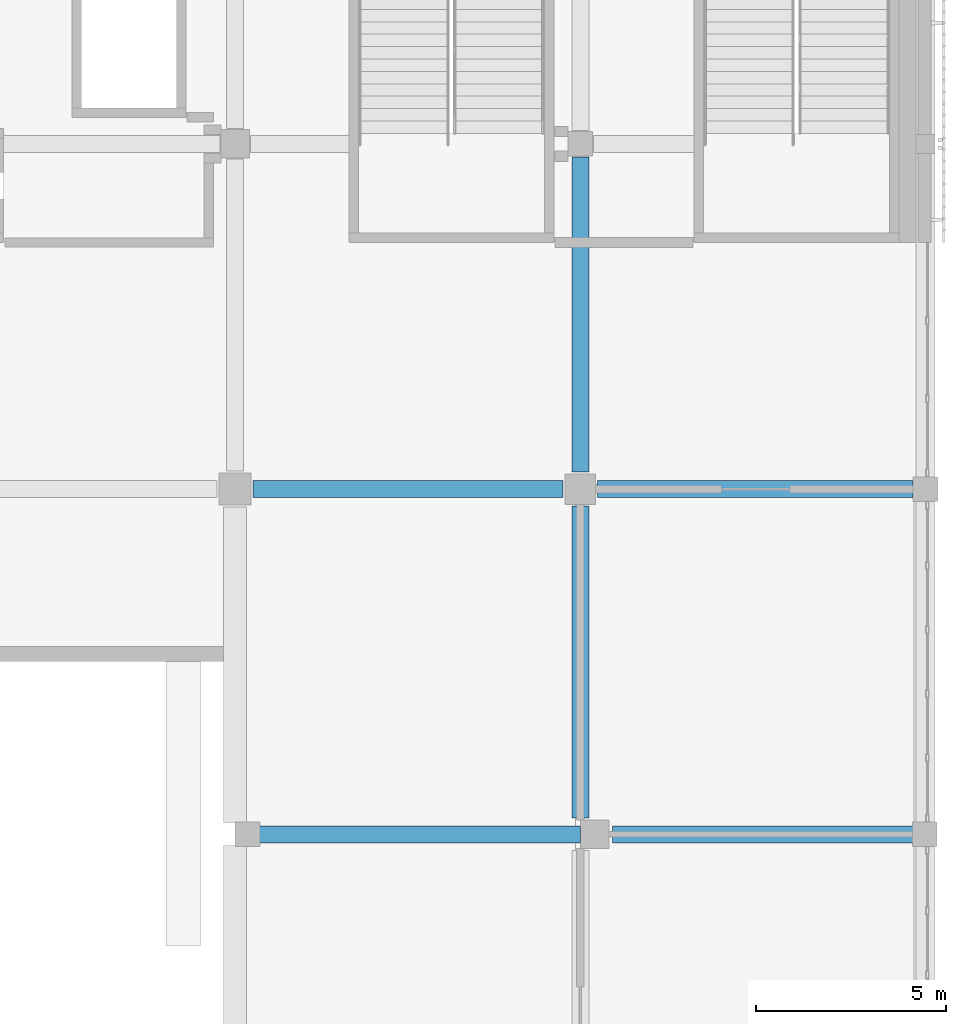
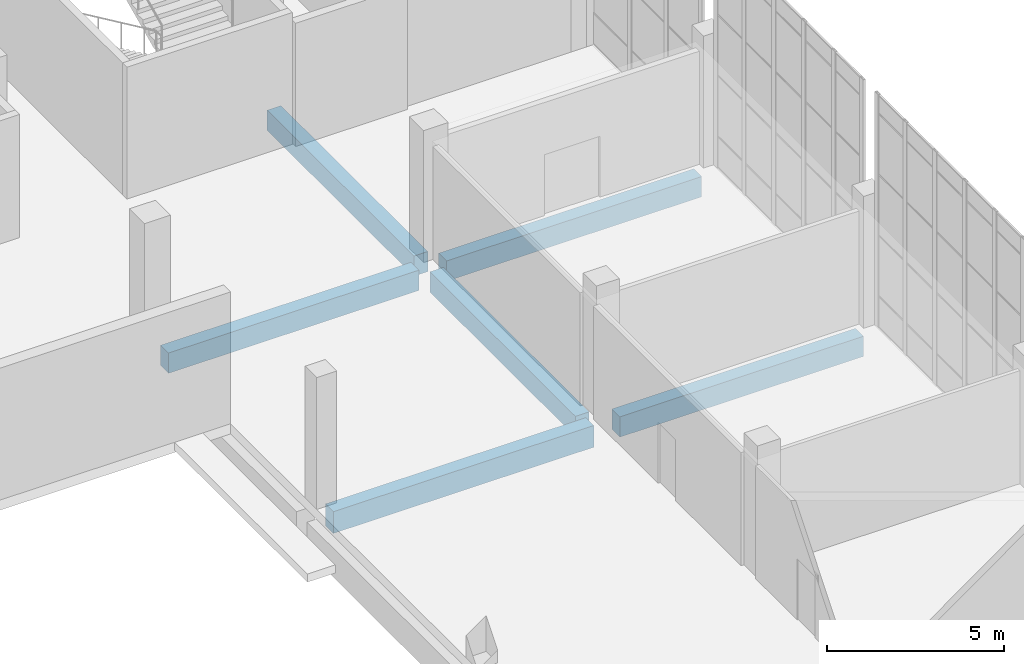
# One storey, part 55 of 126: 6 beams.
"""IFC4 building model written with IfcOpenShell, lengths in metres."""

from ifc_helpers import new_model, si_unit, direction, frame, origin, origin_2d, place, context, subcontext, project, spatial, rectangle, extrude, material, material_profile, profile_set, type_object, element, save


model = new_model("IFC4")

# Units and contexts
model_context = context("Model", 3, precision=1e-05, world=origin(), true_north=direction((0.0, 1.0)))
body_context = subcontext(model_context, "Body", "Model", "MODEL_VIEW")
ifc_project = project(units=[si_unit("LENGTHUNIT", "METRE"), si_unit("AREAUNIT", "SQUARE_METRE"), si_unit("VOLUMEUNIT", "CUBIC_METRE"), si_unit("PLANEANGLEUNIT", "RADIAN"), si_unit("MASSUNIT", "GRAM", prefix="KILO")], contexts=[model_context])

# Site, building, storey
site_placement = place(None, origin())
site = spatial("IfcSite", under=ifc_project, at=site_placement, CompositionType="ELEMENT")
building_placement = place(site_placement, origin())
building = spatial("IfcBuilding", under=site, at=building_placement, Name="Shirokan Park Arena", CompositionType="ELEMENT")
storey_placement = place(building_placement, frame((0.0, 0.0, 6.3701171875)))
storey = spatial("IfcBuildingStorey", under=building, at=storey_placement, Name="L01", CompositionType="ELEMENT", Elevation=6.3701171875)

# Beams
ifc_material = material(Name="Concrete C35", Category="concrete")
ifc_material_profile_1 = material_profile(ifc_material, rectangle(XDim=0.449951171875, YDim=0.699951171875, at=origin_2d()), Name="450x700")
ifc_profile_set_1 = profile_set([ifc_material_profile_1], Name="Concrete C35")
beam_type_1 = type_object("IfcBeamType", Name="RC girder 450x700", PredefinedType="BEAM", material=ifc_profile_set_1)
beam_1_placement = place(storey_placement, frame((127.875, 72.800048828125, -0.7001953125), z_axis=(1.0, 0.0, 0.0), x_axis=(0.0, 1.0, 0.0)))
element("IfcBeam", 1, at=beam_1_placement, inside=storey, type_object=beam_type_1, Name="Girder 15J-16J L01", PredefinedType="BEAM", context=body_context, shape_type="SweptSolid", body=[
    extrude(rectangle(XDim=0.449951171875, YDim=0.699951171875, at=origin_2d()), origin(), (0.0, 0.0, 1.0), 8.1748046875),
])
beam_2_placement = place(storey_placement, frame((137.35009765625, 63.699951171875, -0.7001953125), z_axis=(1.0, 0.0, 0.0), x_axis=(0.0, 1.0, 0.0)))
element("IfcBeam", 2, at=beam_2_placement, inside=storey, type_object=beam_type_1, Name="Girder 16H-17H L01", PredefinedType="BEAM", context=body_context, shape_type="SweptSolid", body=[
    extrude(rectangle(XDim=0.449951171875, YDim=0.699951171875, at=origin_2d()), origin(), (0.0, 0.0, 1.0), 7.94970703125),
])
beam_3_placement = place(storey_placement, frame((136.9501953125, 72.800048828125, -0.7001953125), z_axis=(1.0, 0.0, 0.0), x_axis=(0.0, 1.0, 0.0)))
element("IfcBeam", 3, at=beam_3_placement, inside=storey, type_object=beam_type_1, Name="Girder 16J-17J L01", PredefinedType="BEAM", context=body_context, shape_type="SweptSolid", body=[
    extrude(rectangle(XDim=0.449951171875, YDim=0.699951171875, at=origin_2d()), origin(), (0.0, 0.0, 1.0), 8.32470703125),
])
beam_4_placement = place(storey_placement, frame((136.5, 64.125, -0.7001953125), z_axis=(0.0, 1.0, 0.0), x_axis=(-1.0, 0.0, 0.0)))
element("IfcBeam", 4, at=beam_4_placement, inside=storey, type_object=beam_type_1, Name="Girder 16H-16J L01", PredefinedType="BEAM", context=body_context, shape_type="SweptSolid", body=[
    extrude(rectangle(XDim=0.449951171875, YDim=0.699951171875, at=origin_2d()), origin(), (0.0, 0.0, 1.0), 8.224853515625),
])
beam_5_placement = place(storey_placement, frame((136.5, 73.25, -0.7001953125), z_axis=(0.0, 1.0, 0.0), x_axis=(-1.0, 0.0, 0.0)))
element("IfcBeam", 5, at=beam_5_placement, inside=storey, type_object=beam_type_1, Name="Girder 16J-16K L01", PredefinedType="BEAM", context=body_context, shape_type="SweptSolid", body=[
    extrude(rectangle(XDim=0.449951171875, YDim=0.699951171875, at=origin_2d()), origin(), (0.0, 0.0, 1.0), 8.2998046875),
])
ifc_material_profile_2 = material_profile(ifc_material, rectangle(XDim=0.449951171875, YDim=0.75, at=origin_2d()), Name="450x750")
ifc_profile_set_2 = profile_set([ifc_material_profile_2], Name="Concrete C35")
beam_type_2 = type_object("IfcBeamType", Name="RC girder 450x750", PredefinedType="BEAM", material=ifc_profile_set_2)
beam_6_placement = place(storey_placement, frame((128.0, 63.699951171875, -0.72509765625), z_axis=(1.0, 0.0, 0.0), x_axis=(0.0, 1.0, 0.0)))
element("IfcBeam", 6, at=beam_6_placement, inside=storey, type_object=beam_type_2, Name="Girder 15H-16H L01", PredefinedType="BEAM", context=body_context, shape_type="SweptSolid", body=[
    extrude(rectangle(XDim=0.449951171875, YDim=0.75, at=origin_2d()), origin(), (0.0, 0.0, 1.0), 8.5),
])

save(model, "model.ifc")
